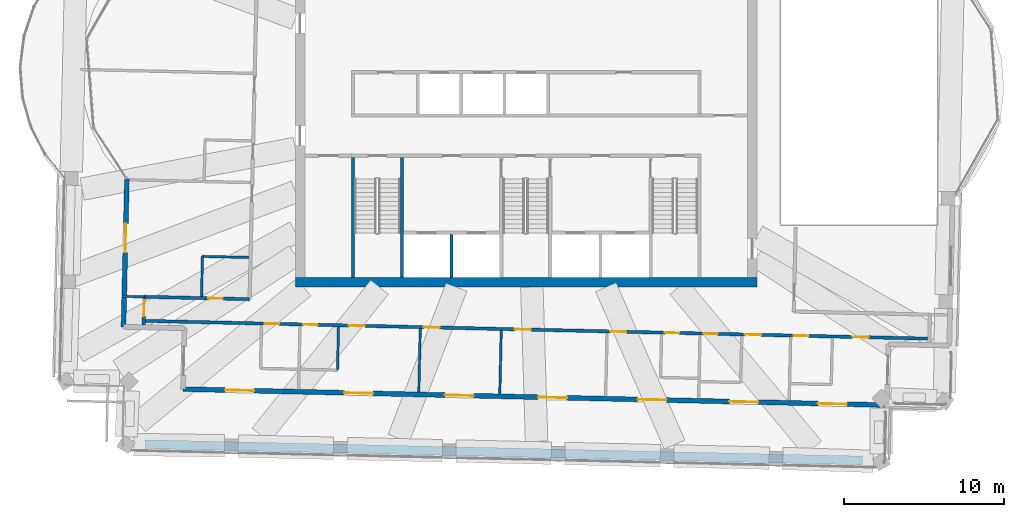
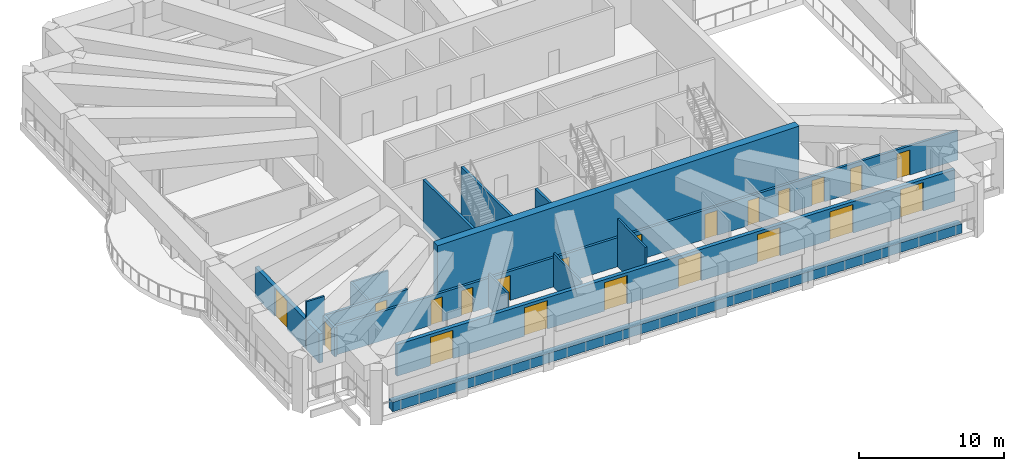
# One storey, part 7 of 17: 21 doors, 16 walls, 21 openings.
"""IFC4 building model written with IfcOpenShell, lengths in metres."""

from ifc_helpers import new_model, si_unit, direction, frame, frame_2d, origin, place, context, subcontext, project, spatial, rectangle, extrude, material, layer, layer_set, type_object, element, fill, save


model = new_model("IFC4")

# Units and contexts
model_context = context("Model", 3, precision=1e-05, world=origin(), true_north=direction((0.0, 1.0)))
body_context = subcontext(model_context, "Body", "Model", "MODEL_VIEW")
ifc_project = project(units=[si_unit("LENGTHUNIT", "METRE"), si_unit("AREAUNIT", "SQUARE_METRE"), si_unit("VOLUMEUNIT", "CUBIC_METRE"), si_unit("PLANEANGLEUNIT", "RADIAN"), si_unit("MASSUNIT", "GRAM", prefix="KILO")], contexts=[model_context])

# Site, building, storey
site_placement = place(None, origin())
site = spatial("IfcSite", under=ifc_project, at=site_placement, CompositionType="ELEMENT")
building_placement = place(site_placement, origin())
building = spatial("IfcBuilding", under=site, at=building_placement, Name="Mangrove Gate Tower", CompositionType="ELEMENT")
storey_placement = place(building_placement, frame((0.0, 0.0, 337.89990234375)))
storey = spatial("IfcBuildingStorey", under=building, at=storey_placement, Name="L86", CompositionType="ELEMENT", Elevation=337.89990234375)

# Walls
ifc_material_1 = material(Name="Concrete C50/60", Category="concrete")
ifc_layer_1 = layer(ifc_material_1, 0.199951171875)
ifc_layer_set_1 = layer_set([ifc_layer_1], Name="Core shaft wall 200 C50/60")
wall_type_1 = type_object("IfcWallType", Name="Core shaft wall 200 C50/60", PredefinedType="SHEAR", material=ifc_layer_set_1)
wall_1_placement = place(storey_placement, frame((-4.64990234375, -10.800048828125, 0.0), z_axis=(0.0, 0.0, 1.0), x_axis=(0.0, 1.0, 0.0)))
element("IfcWall", 1, at=wall_1_placement, inside=storey, type_object=wall_type_1, Name="WALL-L86-CORE-16", PredefinedType="SHEAR", context=body_context, shape_type="SweptSolid", body=[
    extrude(rectangle(XDim=2.699951171875, YDim=0.199951171875, at=frame_2d((1.35009765625, 0.0))), origin(), (0.0, 0.0, 1.0), 4.050048828125),
])
ifc_material_2 = material(Name="Concrete C50/60", Category="concrete")
ifc_layer_2 = layer(ifc_material_2, 0.199951171875)
ifc_layer_set_2 = layer_set([ifc_layer_2], Name="Core stair wall 200 C50/60")
wall_type_2 = type_object("IfcWallType", Name="Core stair wall 200 C50/60", PredefinedType="SHEAR", material=ifc_layer_set_2)
for number, where, z_axis, x_axis, name in (
    (2, (-10.800048828125, -10.800048828125, 0.0), (0.0, 0.0, 1.0), (0.0, 1.0, 0.0), "WALL-L86-CORE-9"),
    (3, (-7.75, -10.800048828125, 0.0), (0.0, 0.0, 1.0), (0.0, 1.0, 0.0), "WALL-L86-CORE-10"),
):
    element("IfcWall", number, at=place(storey_placement, frame(where, z_axis=z_axis, x_axis=x_axis)), inside=storey, type_object=wall_type_2, Name=name, PredefinedType="SHEAR", context=body_context, shape_type="SweptSolid", body=[
        extrude(rectangle(XDim=7.5, YDim=0.199951171875, at=frame_2d((3.75, 0.0))), origin(), (0.0, 0.0, 1.0), 4.050048828125),
    ])
ifc_material_3 = material(Name="Concrete C50/60", Category="concrete")
ifc_layer_3 = layer(ifc_material_3, 0.60009765625)
ifc_layer_set_3 = layer_set([ifc_layer_3], Name="Core wall 600 C50/60")
wall_type_3 = type_object("IfcWallType", Name="Core wall 600 C50/60", PredefinedType="SHEAR", material=ifc_layer_set_3)
wall_2_placement = place(storey_placement, frame((-14.39990234375, -11.10009765625, 0.0), z_axis=(0.0, 0.0, 1.0), x_axis=(1.0, 0.0, 0.0)))
element("IfcWall", 4, at=wall_2_placement, inside=storey, type_object=wall_type_3, Name="WALL-L86-CORE-1", PredefinedType="SHEAR", context=body_context, shape_type="SweptSolid", body=[
    extrude(rectangle(XDim=28.7998046875, YDim=0.60009765625, at=frame_2d((14.39990234375, 0.0))), origin(), (0.0, 0.0, 1.0), 4.60009765625),
])

# Wall, openings, doors
ifc_material_4 = material(Name="Gypsum board on steel stud, EI 60", Category="steel")
ifc_layer_4 = layer(ifc_material_4, 0.199951171875)
ifc_layer_set_4 = layer_set([ifc_layer_4], Name="Corridor wall EI 60")
wall_type_4 = type_object("IfcWallType", Name="Corridor wall EI 60", PredefinedType="PARTITIONING", material=ifc_layer_set_4)
wall_3_placement = place(storey_placement, frame((-23.84912109375, -13.4990234375, 0.0), z_axis=(0.0, 0.0, 1.0), x_axis=(0.999742429398, -0.022695260756, 0.0)))
wall_3 = element("IfcWall", 5, at=wall_3_placement, inside=storey, type_object=wall_type_4, Name="WALL-L86-016", PredefinedType="PARTITIONING", context=body_context, shape_type="SweptSolid", body=[
    extrude(rectangle(XDim=48.999755859375, YDim=0.199951171875, at=frame_2d((24.5, 0.0))), origin(), (0.0, 0.0, 1.0), 2.4501953125),
])
opening_1_placement = place(wall_3_placement, frame((7.550048828125, 0.0, 0.0)))
opening_1 = element("IfcOpeningElement", 6, at=opening_1_placement, cuts=wall_3, Name="Opening SD", PredefinedType="OPENING", context=body_context, shape_type="SweptSolid", body=[
    extrude(rectangle(XDim=0.89990234375, YDim=2.10009765625, at=frame_2d((0.449951171875, 1.050048828125))), frame((0.0, 0.10986328125, 0.0), z_axis=(0.0, -1.0, 0.0), x_axis=(1.0, 0.0, 0.0)), (0.0, 0.0, 1.0), 0.219970703125),
])
opening_2_placement = place(wall_3_placement, frame((12.7939453125, 0.0, 0.0)))
opening_2 = element("IfcOpeningElement", 7, at=opening_2_placement, cuts=wall_3, Name="Opening AD", PredefinedType="OPENING", context=body_context, shape_type="SweptSolid", body=[
    extrude(rectangle(XDim=1.0, YDim=2.10009765625, at=frame_2d((0.5, 1.050048828125))), frame((0.0, 0.10986328125, 0.0), z_axis=(0.0, -1.0, 0.0), x_axis=(1.0, 0.0, 0.0)), (0.0, 0.0, 1.0), 0.219970703125),
])
opening_3_placement = place(wall_3_placement, frame((9.949951171875, 0.0, 0.0)))
opening_3 = element("IfcOpeningElement", 8, at=opening_3_placement, cuts=wall_3, Name="Opening SD", PredefinedType="OPENING", context=body_context, shape_type="SweptSolid", body=[
    extrude(rectangle(XDim=0.89990234375, YDim=2.10009765625, at=frame_2d((0.449951171875, 1.050048828125))), frame((0.0, 0.10986328125, 0.0), z_axis=(0.0, -1.0, 0.0), x_axis=(1.0, 0.0, 0.0)), (0.0, 0.0, 1.0), 0.219970703125),
])
opening_4_placement = place(wall_3_placement, frame((17.449951171875, 0.0, 0.0)))
opening_4 = element("IfcOpeningElement", 9, at=opening_4_placement, cuts=wall_3, Name="Opening AD", PredefinedType="OPENING", context=body_context, shape_type="SweptSolid", body=[
    extrude(rectangle(XDim=1.0, YDim=2.10009765625, at=frame_2d((0.5, 1.050048828125))), frame((0.0, 0.10986328125, 0.0), z_axis=(0.0, -1.0, 0.0), x_axis=(1.0, 0.0, 0.0)), (0.0, 0.0, 1.0), 0.219970703125),
])
opening_5_placement = place(wall_3_placement, frame((23.14892578125, 0.0, 0.0)))
opening_5 = element("IfcOpeningElement", 10, at=opening_5_placement, cuts=wall_3, Name="Opening AD", PredefinedType="OPENING", context=body_context, shape_type="SweptSolid", body=[
    extrude(rectangle(XDim=1.0, YDim=2.10009765625, at=frame_2d((0.5, 1.050048828125))), frame((0.0, 0.10986328125, 0.0), z_axis=(0.0, -1.0, 0.0), x_axis=(1.0, 0.0, 0.0)), (0.0, 0.0, 1.0), 0.219970703125),
])
opening_6_placement = place(wall_3_placement, frame((29.10009765625, 0.0, 0.0)))
opening_6 = element("IfcOpeningElement", 11, at=opening_6_placement, cuts=wall_3, Name="Opening AD", PredefinedType="OPENING", context=body_context, shape_type="SweptSolid", body=[
    extrude(rectangle(XDim=1.0, YDim=2.10009765625, at=frame_2d((0.5, 1.050048828125))), frame((0.0, 0.10986328125, 0.0), z_axis=(0.0, -1.0, 0.0), x_axis=(1.0, 0.0, 0.0)), (0.0, 0.0, 1.0), 0.219970703125),
])
opening_7_placement = place(wall_3_placement, frame((32.5, 0.0, 0.0)))
opening_7 = element("IfcOpeningElement", 12, at=opening_7_placement, cuts=wall_3, Name="Opening SD", PredefinedType="OPENING", context=body_context, shape_type="SweptSolid", body=[
    extrude(rectangle(XDim=0.89990234375, YDim=2.10009765625, at=frame_2d((0.449951171875, 1.050048828125))), frame((0.0, 0.10986328125, 0.0), z_axis=(0.0, -1.0, 0.0), x_axis=(1.0, 0.0, 0.0)), (0.0, 0.0, 1.0), 0.219970703125),
])
opening_8_placement = place(wall_3_placement, frame((37.5, 0.0, 0.0)))
opening_8 = element("IfcOpeningElement", 13, at=opening_8_placement, cuts=wall_3, Name="Opening AD", PredefinedType="OPENING", context=body_context, shape_type="SweptSolid", body=[
    extrude(rectangle(XDim=1.0, YDim=2.10009765625, at=frame_2d((0.5, 1.050048828125))), frame((0.0, 0.10986328125, 0.0), z_axis=(0.0, -1.0, 0.0), x_axis=(1.0, 0.0, 0.0)), (0.0, 0.0, 1.0), 0.219970703125),
])
opening_9_placement = place(wall_3_placement, frame((34.89990234375, 0.0, 0.0)))
opening_9 = element("IfcOpeningElement", 14, at=opening_9_placement, cuts=wall_3, Name="Opening SD", PredefinedType="OPENING", context=body_context, shape_type="SweptSolid", body=[
    extrude(rectangle(XDim=0.89990234375, YDim=2.10009765625, at=frame_2d((0.449951171875, 1.050048828125))), frame((0.0, 0.10986328125, 0.0), z_axis=(0.0, -1.0, 0.0), x_axis=(1.0, 0.0, 0.0)), (0.0, 0.0, 1.0), 0.219970703125),
])
opening_10_placement = place(wall_3_placement, frame((44.212890625, 0.0, 0.0)))
opening_10 = element("IfcOpeningElement", 15, at=opening_10_placement, cuts=wall_3, Name="Opening AD", PredefinedType="OPENING", context=body_context, shape_type="SweptSolid", body=[
    extrude(rectangle(XDim=1.0, YDim=2.10009765625, at=frame_2d((0.5, 1.050048828125))), frame((0.0, 0.10986328125, 0.0), z_axis=(0.0, -1.0, 0.0), x_axis=(1.0, 0.0, 0.0)), (0.0, 0.0, 1.0), 0.219970703125),
])
opening_11_placement = place(wall_3_placement, frame((40.550048828125, 0.0, 0.0)))
opening_11 = element("IfcOpeningElement", 16, at=opening_11_placement, cuts=wall_3, Name="Opening SD", PredefinedType="OPENING", context=body_context, shape_type="SweptSolid", body=[
    extrude(rectangle(XDim=0.89990234375, YDim=2.10009765625, at=frame_2d((0.449951171875, 1.050048828125))), frame((0.0, 0.10986328125, 0.0), z_axis=(0.0, -1.0, 0.0), x_axis=(1.0, 0.0, 0.0)), (0.0, 0.0, 1.0), 0.219970703125),
])
ifc_material_5 = material(Name="Timber door leaf", Category="wood")
door_type_1 = type_object("IfcDoorType", Name="Amenity door 1000", OperationType="SINGLE_SWING_LEFT", PredefinedType="DOOR", material=ifc_material_5)
door_1_placement = place(opening_2_placement, origin())
door_1 = element("IfcDoor", 17, at=door_1_placement, inside=storey, type_object=door_type_1, Name="DOOR-L86-GAM-c1b", OperationType="SINGLE_SWING_RIGHT", OverallHeight=2.10009765625, OverallWidth=1.0, PredefinedType="DOOR", context=body_context, shape_type="SweptSolid", body=[
    extrude(rectangle(XDim=1.0, YDim=2.10009765625, at=frame_2d((0.5, 1.050048828125))), frame((0.0, 0.02490234375, 0.0), z_axis=(0.0, -1.0, 0.0), x_axis=(1.0, 0.0, 0.0)), (0.0, 0.0, 1.0), 0.050048828125),
])
fill(opening_2, door_1)
door_2_placement = place(opening_4_placement, origin())
door_2 = element("IfcDoor", 18, at=door_2_placement, inside=storey, type_object=door_type_1, Name="DOOR-L86-GAM-c1c", OperationType="SINGLE_SWING_LEFT", OverallHeight=2.10009765625, OverallWidth=1.0, PredefinedType="DOOR", context=body_context, shape_type="SweptSolid", body=[
    extrude(rectangle(XDim=1.0, YDim=2.10009765625, at=frame_2d((0.5, 1.050048828125))), frame((0.0, 0.02490234375, 0.0), z_axis=(0.0, -1.0, 0.0), x_axis=(1.0, 0.0, 0.0)), (0.0, 0.0, 1.0), 0.050048828125),
])
fill(opening_4, door_2)
door_3_placement = place(opening_5_placement, origin())
door_3 = element("IfcDoor", 19, at=door_3_placement, inside=storey, type_object=door_type_1, Name="DOOR-L86-LNG-c1a", OperationType="SINGLE_SWING_RIGHT", OverallHeight=2.10009765625, OverallWidth=1.0, PredefinedType="DOOR", context=body_context, shape_type="SweptSolid", body=[
    extrude(rectangle(XDim=1.0, YDim=2.10009765625, at=frame_2d((0.5, 1.050048828125))), frame((0.0, 0.02490234375, 0.0), z_axis=(0.0, -1.0, 0.0), x_axis=(1.0, 0.0, 0.0)), (0.0, 0.0, 1.0), 0.050048828125),
])
fill(opening_5, door_3)
door_4_placement = place(opening_6_placement, origin())
door_4 = element("IfcDoor", 20, at=door_4_placement, inside=storey, type_object=door_type_1, Name="DOOR-L86-KIT-c2a", OperationType="SINGLE_SWING_LEFT", OverallHeight=2.10009765625, OverallWidth=1.0, PredefinedType="DOOR", context=body_context, shape_type="SweptSolid", body=[
    extrude(rectangle(XDim=1.0, YDim=2.10009765625, at=frame_2d((0.5, 1.050048828125))), frame((0.0, 0.02490234375, 0.0), z_axis=(0.0, -1.0, 0.0), x_axis=(1.0, 0.0, 0.0)), (0.0, 0.0, 1.0), 0.050048828125),
])
fill(opening_6, door_4)
door_5_placement = place(opening_8_placement, origin())
door_5 = element("IfcDoor", 21, at=door_5_placement, inside=storey, type_object=door_type_1, Name="DOOR-L86-GAM-c2a", OperationType="SINGLE_SWING_RIGHT", OverallHeight=2.10009765625, OverallWidth=1.0, PredefinedType="DOOR", context=body_context, shape_type="SweptSolid", body=[
    extrude(rectangle(XDim=1.0, YDim=2.10009765625, at=frame_2d((0.5, 1.050048828125))), frame((0.0, 0.02490234375, 0.0), z_axis=(0.0, -1.0, 0.0), x_axis=(1.0, 0.0, 0.0)), (0.0, 0.0, 1.0), 0.050048828125),
])
fill(opening_8, door_5)
door_6_placement = place(opening_10_placement, origin())
door_6 = element("IfcDoor", 22, at=door_6_placement, inside=storey, type_object=door_type_1, Name="DOOR-L86-KIT-c2b", OperationType="SINGLE_SWING_LEFT", OverallHeight=2.10009765625, OverallWidth=1.0, PredefinedType="DOOR", context=body_context, shape_type="SweptSolid", body=[
    extrude(rectangle(XDim=1.0, YDim=2.10009765625, at=frame_2d((0.5, 1.050048828125))), frame((0.0, 0.02490234375, 0.0), z_axis=(0.0, -1.0, 0.0), x_axis=(1.0, 0.0, 0.0)), (0.0, 0.0, 1.0), 0.050048828125),
])
fill(opening_10, door_6)
ifc_material_6 = material(Name="Timber door leaf", Category="wood")
door_type_2 = type_object("IfcDoorType", Name="Service room door 900", OperationType="SINGLE_SWING_LEFT", PredefinedType="DOOR", material=ifc_material_6)
door_7_placement = place(opening_1_placement, origin())
door_7 = element("IfcDoor", 23, at=door_7_placement, inside=storey, type_object=door_type_2, Name="DOOR-L86-WC-c1a", OperationType="SINGLE_SWING_LEFT", OverallHeight=2.10009765625, OverallWidth=0.89990234375, PredefinedType="DOOR", context=body_context, shape_type="SweptSolid", body=[
    extrude(rectangle(XDim=0.89990234375, YDim=2.10009765625, at=frame_2d((0.449951171875, 1.050048828125))), frame((0.0, 0.02490234375, 0.0), z_axis=(0.0, -1.0, 0.0), x_axis=(1.0, 0.0, 0.0)), (0.0, 0.0, 1.0), 0.050048828125),
])
fill(opening_1, door_7)
door_8_placement = place(opening_3_placement, origin())
door_8 = element("IfcDoor", 24, at=door_8_placement, inside=storey, type_object=door_type_2, Name="DOOR-L86-WC-c1b", OperationType="SINGLE_SWING_RIGHT", OverallHeight=2.10009765625, OverallWidth=0.89990234375, PredefinedType="DOOR", context=body_context, shape_type="SweptSolid", body=[
    extrude(rectangle(XDim=0.89990234375, YDim=2.10009765625, at=frame_2d((0.449951171875, 1.050048828125))), frame((0.0, 0.02490234375, 0.0), z_axis=(0.0, -1.0, 0.0), x_axis=(1.0, 0.0, 0.0)), (0.0, 0.0, 1.0), 0.050048828125),
])
fill(opening_3, door_8)
door_9_placement = place(opening_7_placement, origin())
door_9 = element("IfcDoor", 25, at=door_9_placement, inside=storey, type_object=door_type_2, Name="DOOR-L86-WC-c2a", OperationType="SINGLE_SWING_LEFT", OverallHeight=2.10009765625, OverallWidth=0.89990234375, PredefinedType="DOOR", context=body_context, shape_type="SweptSolid", body=[
    extrude(rectangle(XDim=0.89990234375, YDim=2.10009765625, at=frame_2d((0.449951171875, 1.050048828125))), frame((0.0, 0.02490234375, 0.0), z_axis=(0.0, -1.0, 0.0), x_axis=(1.0, 0.0, 0.0)), (0.0, 0.0, 1.0), 0.050048828125),
])
fill(opening_7, door_9)
door_10_placement = place(opening_9_placement, origin())
door_10 = element("IfcDoor", 26, at=door_10_placement, inside=storey, type_object=door_type_2, Name="DOOR-L86-AWC-c2a", OperationType="SINGLE_SWING_RIGHT", OverallHeight=2.10009765625, OverallWidth=0.89990234375, PredefinedType="DOOR", context=body_context, shape_type="SweptSolid", body=[
    extrude(rectangle(XDim=0.89990234375, YDim=2.10009765625, at=frame_2d((0.449951171875, 1.050048828125))), frame((0.0, 0.02490234375, 0.0), z_axis=(0.0, -1.0, 0.0), x_axis=(1.0, 0.0, 0.0)), (0.0, 0.0, 1.0), 0.050048828125),
])
fill(opening_9, door_10)
door_11_placement = place(opening_11_placement, origin())
door_11 = element("IfcDoor", 27, at=door_11_placement, inside=storey, type_object=door_type_2, Name="DOOR-L86-AWC-c2b", OperationType="SINGLE_SWING_LEFT", OverallHeight=2.10009765625, OverallWidth=0.89990234375, PredefinedType="DOOR", context=body_context, shape_type="SweptSolid", body=[
    extrude(rectangle(XDim=0.89990234375, YDim=2.10009765625, at=frame_2d((0.449951171875, 1.050048828125))), frame((0.0, 0.02490234375, 0.0), z_axis=(0.0, -1.0, 0.0), x_axis=(1.0, 0.0, 0.0)), (0.0, 0.0, 1.0), 0.050048828125),
])
fill(opening_11, door_11)

# Wall, opening, door
wall_4_placement = place(storey_placement, frame((-23.85498046875, -13.7490234375, 0.0), z_axis=(0.0, 0.0, 1.0), x_axis=(0.022886242938, 0.99973807564, 0.0)))
wall_4 = element("IfcWall", 28, at=wall_4_placement, inside=storey, type_object=wall_type_4, Name="WALL-L86-017", PredefinedType="PARTITIONING", context=body_context, shape_type="SweptSolid", body=[
    extrude(rectangle(XDim=1.74951171875, YDim=0.199951171875, at=frame_2d((0.874755859375, 0.0))), origin(), (0.0, 0.0, 1.0), 2.4501953125),
])
opening_12_placement = place(wall_4_placement, frame((0.550048828125, 0.0, 0.0)))
opening_12 = element("IfcOpeningElement", 29, at=opening_12_placement, cuts=wall_4, Name="Opening AD", PredefinedType="OPENING", context=body_context, shape_type="SweptSolid", body=[
    extrude(rectangle(XDim=1.0, YDim=2.10009765625, at=frame_2d((0.5, 1.050048828125))), frame((0.0, 0.10986328125, 0.0), z_axis=(0.0, -1.0, 0.0), x_axis=(1.0, 0.0, 0.0)), (0.0, 0.0, 1.0), 0.219970703125),
])
door_12_placement = place(opening_12_placement, origin())
door_12 = element("IfcDoor", 30, at=door_12_placement, inside=storey, type_object=door_type_1, Name="DOOR-L86-GAM-c1a", OperationType="SINGLE_SWING_LEFT", OverallHeight=2.10009765625, OverallWidth=1.0, PredefinedType="DOOR", context=body_context, shape_type="SweptSolid", body=[
    extrude(rectangle(XDim=1.0, YDim=2.10009765625, at=frame_2d((0.5, 1.050048828125))), frame((0.0, 0.02490234375, 0.0), z_axis=(0.0, -1.0, 0.0), x_axis=(1.0, 0.0, 0.0)), (0.0, 0.0, 1.0), 0.050048828125),
])
fill(opening_12, door_12)

wall_5_placement = place(storey_placement, frame((-23.81494140625, -12.0, 0.0), z_axis=(0.0, 0.0, 1.0), x_axis=(0.999742947273, -0.022672436532, 0.0)))
wall_5 = element("IfcWall", 31, at=wall_5_placement, inside=storey, type_object=wall_type_4, Name="WALL-L86-020", PredefinedType="PARTITIONING", context=body_context, shape_type="SweptSolid", body=[
    extrude(rectangle(XDim=6.568603515625, YDim=0.199951171875, at=frame_2d((3.2841796875, 0.0))), origin(), (0.0, 0.0, 1.0), 2.4501953125),
])
opening_13_placement = place(wall_5_placement, frame((4.001953125, 0.0, 0.0)))
opening_13 = element("IfcOpeningElement", 32, at=opening_13_placement, cuts=wall_5, Name="Opening SD", PredefinedType="OPENING", context=body_context, shape_type="SweptSolid", body=[
    extrude(rectangle(XDim=0.89990234375, YDim=2.10009765625, at=frame_2d((0.449951171875, 1.050048828125))), frame((0.0, 0.10986328125, 0.0), z_axis=(0.0, -1.0, 0.0), x_axis=(1.0, 0.0, 0.0)), (0.0, 0.0, 1.0), 0.219970703125),
])
door_13_placement = place(opening_13_placement, origin())
door_13 = element("IfcDoor", 33, at=door_13_placement, inside=storey, type_object=door_type_2, Name="DOOR-L86-AWC-c5b", OperationType="SINGLE_SWING_LEFT", OverallHeight=2.10009765625, OverallWidth=0.89990234375, PredefinedType="DOOR", context=body_context, shape_type="SweptSolid", body=[
    extrude(rectangle(XDim=0.89990234375, YDim=2.10009765625, at=frame_2d((0.449951171875, 1.050048828125))), frame((0.0, 0.02490234375, 0.0), z_axis=(0.0, -1.0, 0.0), x_axis=(1.0, 0.0, 0.0)), (0.0, 0.0, 1.0), 0.050048828125),
])
fill(opening_13, door_13)

ifc_material_7 = material(Name="Limestone", Category="masonry")
ifc_layer_5 = layer(ifc_material_7, 0.0400390625, Name="Limestone cladding")
ifc_material_8 = material(Name="Ventilated air gap")
ifc_layer_6 = layer(ifc_material_8, 0.0400390625, Name="Ventilated cavity")
ifc_material_9 = material(Name="Mineral wool insulation")
ifc_layer_7 = layer(ifc_material_9, 0.06005859375, Name="Insulation")
ifc_material_10 = material(Name="Breather membrane")
ifc_layer_8 = layer(ifc_material_10, 0.001953125, Name="Breather membrane")
ifc_material_11 = material(Name="Concrete C20/25 blockwork", Category="masonry")
ifc_layer_9 = layer(ifc_material_11, 0.14990234375, Name="Blockwork backing wall")
ifc_material_12 = material(Name="Gypsum plaster")
ifc_layer_10 = layer(ifc_material_12, 0.008056640625, Name="Internal plaster")
ifc_layer_set_5 = layer_set([ifc_layer_5, ifc_layer_6, ifc_layer_7, ifc_layer_8, ifc_layer_9, ifc_layer_10], Name="External wall 300 limestone cladding")
wall_type_5 = type_object("IfcWallType", Name="External wall 300 limestone cladding", PredefinedType="SOLIDWALL", material=ifc_layer_set_5)
wall_6_placement = place(storey_placement, frame((-24.89892578125, -4.64404296875, 0.0), z_axis=(0.0, 0.0, 1.0), x_axis=(-0.022643290689, -0.999743607825, 0.0)))
wall_6 = element("IfcWall", 34, at=wall_6_placement, inside=storey, type_object=wall_type_5, Name="WALL-L86-W10", PredefinedType="SOLIDWALL", context=body_context, shape_type="SweptSolid", body=[
    extrude(rectangle(XDim=9.2294921875, YDim=0.300048828125, at=frame_2d((4.61474609375, 0.0))), origin(), (0.0, 0.0, 1.0), 2.4501953125),
])
opening_14_placement = place(wall_6_placement, frame((2.7919921875, 0.0, 0.0)))
opening_14 = element("IfcOpeningElement", 35, at=opening_14_placement, cuts=wall_6, Name="Opening TD1", PredefinedType="OPENING", context=body_context, shape_type="SweptSolid", body=[
    extrude(rectangle(XDim=1.800048828125, YDim=2.39990234375, at=frame_2d((0.89990234375, 1.199951171875))), frame((0.0, 0.159912109375, 0.0), z_axis=(0.0, -1.0, 0.0), x_axis=(1.0, 0.0, 0.0)), (0.0, 0.0, 1.0), 0.320068359375),
])
ifc_material_13 = material(Name="Aluminium frame with laminated clear glass", Category="aluminium")
door_type_3 = type_object("IfcDoorType", Name="Terrace door 1800x2400", OperationType="DOUBLE_DOOR_SINGLE_SWING", PredefinedType="DOOR", material=ifc_material_13)
door_14_placement = place(opening_14_placement, origin())
door_14 = element("IfcDoor", 36, at=door_14_placement, inside=storey, type_object=door_type_3, Name="DOOR-L86-W10-1", OperationType="DOUBLE_DOOR_SINGLE_SWING", OverallHeight=2.39990234375, OverallWidth=1.800048828125, PredefinedType="DOOR", context=body_context, shape_type="SweptSolid", body=[
    extrude(rectangle(XDim=1.800048828125, YDim=2.39990234375, at=frame_2d((0.89990234375, 1.199951171875))), frame((0.0, 0.02490234375, 0.0), z_axis=(0.0, -1.0, 0.0), x_axis=(1.0, 0.0, 0.0)), (0.0, 0.0, 1.0), 0.050048828125),
])
fill(opening_14, door_14)

# Wall, openings, doors
wall_7_placement = place(storey_placement, frame((-21.39501953125, -17.756103515625, 0.0), z_axis=(0.0, 0.0, 1.0), x_axis=(0.999742664636, -0.022684895998, 0.0)))
wall_7 = element("IfcWall", 37, at=wall_7_placement, inside=storey, type_object=wall_type_5, Name="WALL-L86-S13", PredefinedType="SOLIDWALL", context=body_context, shape_type="SweptSolid", body=[
    extrude(rectangle(XDim=43.899169921875, YDim=0.300048828125, at=frame_2d((21.94970703125, 0.0))), origin(), (0.0, 0.0, 1.0), 2.650146484375),
])
opening_15_placement = place(wall_7_placement, frame((2.625, 0.0, 0.0)))
opening_15 = element("IfcOpeningElement", 38, at=opening_15_placement, cuts=wall_7, Name="Opening TD1", PredefinedType="OPENING", context=body_context, shape_type="SweptSolid", body=[
    extrude(rectangle(XDim=1.800048828125, YDim=2.39990234375, at=frame_2d((0.89990234375, 1.199951171875))), frame((0.0, 0.159912109375, 0.0), z_axis=(0.0, -1.0, 0.0), x_axis=(1.0, 0.0, 0.0)), (0.0, 0.0, 1.0), 0.320068359375),
])
opening_16_placement = place(wall_7_placement, frame((10.050048828125, 0.0, 0.0)))
opening_16 = element("IfcOpeningElement", 39, at=opening_16_placement, cuts=wall_7, Name="Opening TD1", PredefinedType="OPENING", context=body_context, shape_type="SweptSolid", body=[
    extrude(rectangle(XDim=1.800048828125, YDim=2.39990234375, at=frame_2d((0.89990234375, 1.199951171875))), frame((0.0, 0.159912109375, 0.0), z_axis=(0.0, -1.0, 0.0), x_axis=(1.0, 0.0, 0.0)), (0.0, 0.0, 1.0), 0.320068359375),
])
opening_17_placement = place(wall_7_placement, frame((16.324951171875, 0.0, 0.0)))
opening_17 = element("IfcOpeningElement", 40, at=opening_17_placement, cuts=wall_7, Name="Opening TD1", PredefinedType="OPENING", context=body_context, shape_type="SweptSolid", body=[
    extrude(rectangle(XDim=1.800048828125, YDim=2.39990234375, at=frame_2d((0.89990234375, 1.199951171875))), frame((0.0, 0.159912109375, 0.0), z_axis=(0.0, -1.0, 0.0), x_axis=(1.0, 0.0, 0.0)), (0.0, 0.0, 1.0), 0.320068359375),
])
opening_18_placement = place(wall_7_placement, frame((22.14990234375, 0.0, 0.0)))
opening_18 = element("IfcOpeningElement", 41, at=opening_18_placement, cuts=wall_7, Name="Opening TD1", PredefinedType="OPENING", context=body_context, shape_type="SweptSolid", body=[
    extrude(rectangle(XDim=1.800048828125, YDim=2.39990234375, at=frame_2d((0.89990234375, 1.199951171875))), frame((0.0, 0.159912109375, 0.0), z_axis=(0.0, -1.0, 0.0), x_axis=(1.0, 0.0, 0.0)), (0.0, 0.0, 1.0), 0.320068359375),
])
opening_19_placement = place(wall_7_placement, frame((28.35009765625, 0.0, 0.0)))
opening_19 = element("IfcOpeningElement", 42, at=opening_19_placement, cuts=wall_7, Name="Opening TD1", PredefinedType="OPENING", context=body_context, shape_type="SweptSolid", body=[
    extrude(rectangle(XDim=1.800048828125, YDim=2.39990234375, at=frame_2d((0.89990234375, 1.199951171875))), frame((0.0, 0.159912109375, 0.0), z_axis=(0.0, -1.0, 0.0), x_axis=(1.0, 0.0, 0.0)), (0.0, 0.0, 1.0), 0.320068359375),
])
opening_20_placement = place(wall_7_placement, frame((34.074951171875, 0.0, 0.0)))
opening_20 = element("IfcOpeningElement", 43, at=opening_20_placement, cuts=wall_7, Name="Opening TD1", PredefinedType="OPENING", context=body_context, shape_type="SweptSolid", body=[
    extrude(rectangle(XDim=1.800048828125, YDim=2.39990234375, at=frame_2d((0.89990234375, 1.199951171875))), frame((0.0, 0.159912109375, 0.0), z_axis=(0.0, -1.0, 0.0), x_axis=(1.0, 0.0, 0.0)), (0.0, 0.0, 1.0), 0.320068359375),
])
opening_21_placement = place(wall_7_placement, frame((39.60009765625, 0.0, 0.0)))
opening_21 = element("IfcOpeningElement", 44, at=opening_21_placement, cuts=wall_7, Name="Opening TD1", PredefinedType="OPENING", context=body_context, shape_type="SweptSolid", body=[
    extrude(rectangle(XDim=1.800048828125, YDim=2.39990234375, at=frame_2d((0.89990234375, 1.199951171875))), frame((0.0, 0.159912109375, 0.0), z_axis=(0.0, -1.0, 0.0), x_axis=(1.0, 0.0, 0.0)), (0.0, 0.0, 1.0), 0.320068359375),
])
door_15_placement = place(opening_15_placement, origin())
door_15 = element("IfcDoor", 45, at=door_15_placement, inside=storey, type_object=door_type_3, Name="DOOR-L86-S13-1", OperationType="DOUBLE_DOOR_SINGLE_SWING", OverallHeight=2.39990234375, OverallWidth=1.800048828125, PredefinedType="DOOR", context=body_context, shape_type="SweptSolid", body=[
    extrude(rectangle(XDim=1.800048828125, YDim=2.39990234375, at=frame_2d((0.89990234375, 1.199951171875))), frame((0.0, 0.02490234375, 0.0), z_axis=(0.0, -1.0, 0.0), x_axis=(1.0, 0.0, 0.0)), (0.0, 0.0, 1.0), 0.050048828125),
])
fill(opening_15, door_15)
door_16_placement = place(opening_16_placement, origin())
door_16 = element("IfcDoor", 46, at=door_16_placement, inside=storey, type_object=door_type_3, Name="DOOR-L86-S13-2", OperationType="DOUBLE_DOOR_SINGLE_SWING", OverallHeight=2.39990234375, OverallWidth=1.800048828125, PredefinedType="DOOR", context=body_context, shape_type="SweptSolid", body=[
    extrude(rectangle(XDim=1.800048828125, YDim=2.39990234375, at=frame_2d((0.89990234375, 1.199951171875))), frame((0.0, 0.02490234375, 0.0), z_axis=(0.0, -1.0, 0.0), x_axis=(1.0, 0.0, 0.0)), (0.0, 0.0, 1.0), 0.050048828125),
])
fill(opening_16, door_16)
door_17_placement = place(opening_17_placement, origin())
door_17 = element("IfcDoor", 47, at=door_17_placement, inside=storey, type_object=door_type_3, Name="DOOR-L86-S13-3", OperationType="DOUBLE_DOOR_SINGLE_SWING", OverallHeight=2.39990234375, OverallWidth=1.800048828125, PredefinedType="DOOR", context=body_context, shape_type="SweptSolid", body=[
    extrude(rectangle(XDim=1.800048828125, YDim=2.39990234375, at=frame_2d((0.89990234375, 1.199951171875))), frame((0.0, 0.02490234375, 0.0), z_axis=(0.0, -1.0, 0.0), x_axis=(1.0, 0.0, 0.0)), (0.0, 0.0, 1.0), 0.050048828125),
])
fill(opening_17, door_17)
door_18_placement = place(opening_18_placement, origin())
door_18 = element("IfcDoor", 48, at=door_18_placement, inside=storey, type_object=door_type_3, Name="DOOR-L86-S13-4", OperationType="DOUBLE_DOOR_SINGLE_SWING", OverallHeight=2.39990234375, OverallWidth=1.800048828125, PredefinedType="DOOR", context=body_context, shape_type="SweptSolid", body=[
    extrude(rectangle(XDim=1.800048828125, YDim=2.39990234375, at=frame_2d((0.89990234375, 1.199951171875))), frame((0.0, 0.02490234375, 0.0), z_axis=(0.0, -1.0, 0.0), x_axis=(1.0, 0.0, 0.0)), (0.0, 0.0, 1.0), 0.050048828125),
])
fill(opening_18, door_18)
door_19_placement = place(opening_19_placement, origin())
door_19 = element("IfcDoor", 49, at=door_19_placement, inside=storey, type_object=door_type_3, Name="DOOR-L86-S13-5", OperationType="DOUBLE_DOOR_SINGLE_SWING", OverallHeight=2.39990234375, OverallWidth=1.800048828125, PredefinedType="DOOR", context=body_context, shape_type="SweptSolid", body=[
    extrude(rectangle(XDim=1.800048828125, YDim=2.39990234375, at=frame_2d((0.89990234375, 1.199951171875))), frame((0.0, 0.02490234375, 0.0), z_axis=(0.0, -1.0, 0.0), x_axis=(1.0, 0.0, 0.0)), (0.0, 0.0, 1.0), 0.050048828125),
])
fill(opening_19, door_19)
door_20_placement = place(opening_20_placement, origin())
door_20 = element("IfcDoor", 50, at=door_20_placement, inside=storey, type_object=door_type_3, Name="DOOR-L86-S13-6", OperationType="DOUBLE_DOOR_SINGLE_SWING", OverallHeight=2.39990234375, OverallWidth=1.800048828125, PredefinedType="DOOR", context=body_context, shape_type="SweptSolid", body=[
    extrude(rectangle(XDim=1.800048828125, YDim=2.39990234375, at=frame_2d((0.89990234375, 1.199951171875))), frame((0.0, 0.02490234375, 0.0), z_axis=(0.0, -1.0, 0.0), x_axis=(1.0, 0.0, 0.0)), (0.0, 0.0, 1.0), 0.050048828125),
])
fill(opening_20, door_20)
door_21_placement = place(opening_21_placement, origin())
door_21 = element("IfcDoor", 51, at=door_21_placement, inside=storey, type_object=door_type_3, Name="DOOR-L86-S13-7", OperationType="DOUBLE_DOOR_SINGLE_SWING", OverallHeight=2.39990234375, OverallWidth=1.800048828125, PredefinedType="DOOR", context=body_context, shape_type="SweptSolid", body=[
    extrude(rectangle(XDim=1.800048828125, YDim=2.39990234375, at=frame_2d((0.89990234375, 1.199951171875))), frame((0.0, 0.02490234375, 0.0), z_axis=(0.0, -1.0, 0.0), x_axis=(1.0, 0.0, 0.0)), (0.0, 0.0, 1.0), 0.050048828125),
])
fill(opening_21, door_21)

# Walls
ifc_material_14 = material(Name="Gypsum board on steel stud, EI 60", Category="steel")
ifc_layer_11 = layer(ifc_material_14, 0.14990234375)
ifc_layer_set_6 = layer_set([ifc_layer_11], Name="Party wall 150 EI 60")
wall_type_6 = type_object("IfcWallType", Name="Party wall 150 EI 60", PredefinedType="PARTITIONING", material=ifc_layer_set_6)
wall_8_placement = place(storey_placement, frame((-6.696044921875, -17.93994140625, 0.0), z_axis=(0.0, 0.0, 1.0), x_axis=(0.022801413262, 0.99974001398, 0.0)))
element("IfcWall", 52, at=wall_8_placement, inside=storey, type_object=wall_type_6, Name="WALL-L86-002", PredefinedType="PARTITIONING", context=body_context, shape_type="SweptSolid", body=[
    extrude(rectangle(XDim=3.950927734375, YDim=0.14990234375, at=frame_2d((1.9755859375, 0.0))), origin(), (0.0, 0.0, 1.0), 2.85009765625),
])
wall_9_placement = place(storey_placement, frame((-1.64697265625, -18.053955078125, 0.0), z_axis=(0.0, 0.0, 1.0), x_axis=(0.022807049009, 0.999739885428, 0.0)))
element("IfcWall", 53, at=wall_9_placement, inside=storey, type_object=wall_type_6, Name="WALL-L86-003", PredefinedType="PARTITIONING", context=body_context, shape_type="SweptSolid", body=[
    extrude(rectangle(XDim=3.949951171875, YDim=0.14990234375, at=frame_2d((1.97509765625, 0.0))), origin(), (0.0, 0.0, 1.0), 4.050048828125),
])
wall_10_placement = place(storey_placement, frame((-11.76611328125, -16.573974609375, 0.0), z_axis=(0.0, 0.0, 1.0), x_axis=(0.02260842146, 0.999744396973, 0.0)))
element("IfcWall", 54, at=wall_10_placement, inside=storey, type_object=wall_type_6, Name="WALL-L86-013", PredefinedType="PARTITIONING", context=body_context, shape_type="SweptSolid", body=[
    extrude(rectangle(XDim=2.69970703125, YDim=0.14990234375, at=frame_2d((1.349853515625, 0.0))), origin(), (0.0, 0.0, 1.0), 2.85009765625),
])
wall_11_placement = place(storey_placement, frame((-25.215087890625, -11.968017578125, 0.0), z_axis=(0.0, 0.0, 1.0), x_axis=(0.999740667531, -0.022772739949, 0.0)))
element("IfcWall", 55, at=wall_11_placement, inside=storey, type_object=wall_type_6, Name="WALL-L86-019", PredefinedType="PARTITIONING", context=body_context, shape_type="SweptSolid", body=[
    extrude(rectangle(XDim=1.404296875, YDim=0.14990234375, at=frame_2d((0.7021484375, 0.0))), origin(), (0.0, 0.0, 1.0), 4.050048828125),
])
wall_12_placement = place(storey_placement, frame((-20.243896484375, -11.98095703125, 0.0), z_axis=(0.0, 0.0, 1.0), x_axis=(0.02274801823, 0.999741230352, 0.0)))
element("IfcWall", 56, at=wall_12_placement, inside=storey, type_object=wall_type_6, Name="WALL-L86-021", PredefinedType="PARTITIONING", context=body_context, shape_type="SweptSolid", body=[
    extrude(rectangle(XDim=2.500732421875, YDim=0.14990234375, at=frame_2d((1.25048828125, 0.0))), origin(), (0.0, 0.0, 1.0), 2.4501953125),
])
wall_13_placement = place(storey_placement, frame((-20.18798828125, -9.48095703125, 0.0), z_axis=(0.0, 0.0, 1.0), x_axis=(0.999739657619, -0.022817032779, 0.0)))
element("IfcWall", 57, at=wall_13_placement, inside=storey, type_object=wall_type_6, Name="WALL-L86-026", PredefinedType="PARTITIONING", context=body_context, shape_type="SweptSolid", body=[
    extrude(rectangle(XDim=2.899658203125, YDim=0.14990234375, at=frame_2d((1.44970703125, 0.0))), origin(), (0.0, 0.0, 1.0), 2.4501953125),
])
ifc_material_15 = material(Name="Concrete C32/40", Category="concrete")
ifc_layer_12 = layer(ifc_material_15, 0.199951171875, Name="Planter trough wall")
ifc_material_16 = material(Name="Bituminous waterproofing membrane")
ifc_layer_13 = layer(ifc_material_16, 0.0048828125, Name="Waterproofing")
ifc_material_17 = material(Name="Drainage board and gravel")
ifc_layer_14 = layer(ifc_material_17, 0.044921875, Name="Drainage layer")
ifc_material_18 = material(Name="Planting soil")
ifc_layer_15 = layer(ifc_material_18, 0.300048828125, Name="Growing medium")
ifc_layer_set_7 = layer_set([ifc_layer_12, ifc_layer_13, ifc_layer_14, ifc_layer_15], Name="Planter wall 550 C32/40")
wall_type_7 = type_object("IfcWallType", Name="Planter wall 550 C32/40", PredefinedType="USERDEFINED", material=ifc_layer_set_7)
wall_14_placement = place(storey_placement, frame((20.965087890625, -22.2041015625, 0.0), z_axis=(0.0, 0.0, 1.0), x_axis=(-0.999741686248, 0.022727973462, 0.0)))
element("IfcWall", 58, at=wall_14_placement, inside=storey, type_object=wall_type_7, Name="PLANTER L86 T3.6.6", ObjectType="PLANTER", PredefinedType="USERDEFINED", context=body_context, shape_type="SweptSolid", body=[
    extrude(rectangle(XDim=44.75048828125, YDim=0.550048828125, at=frame_2d((22.375244140625, 0.0))), origin(), (0.0, 0.0, 1.0), 0.800048828125),
])

save(model, "model.ifc")
